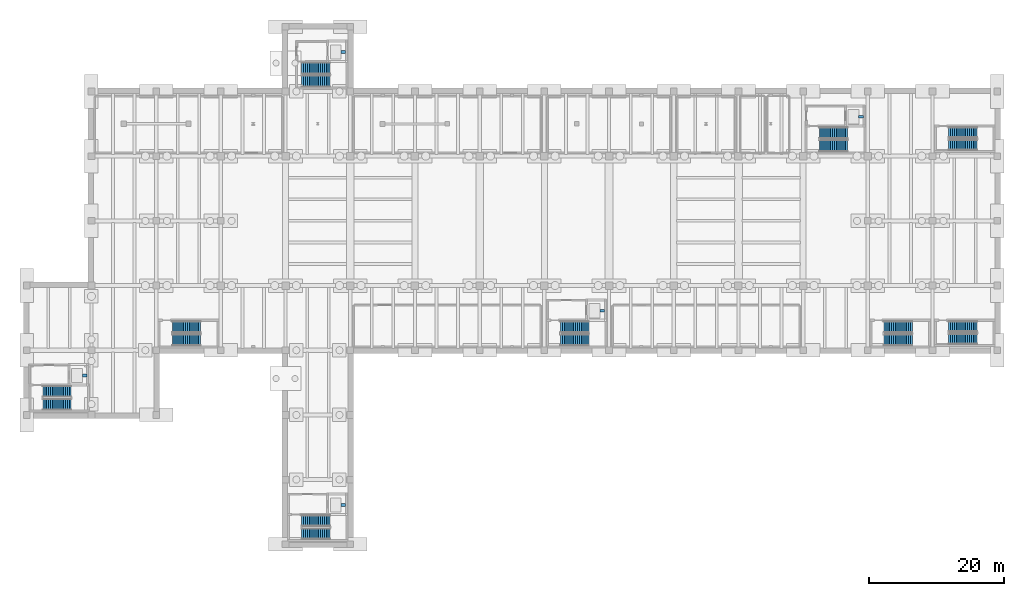
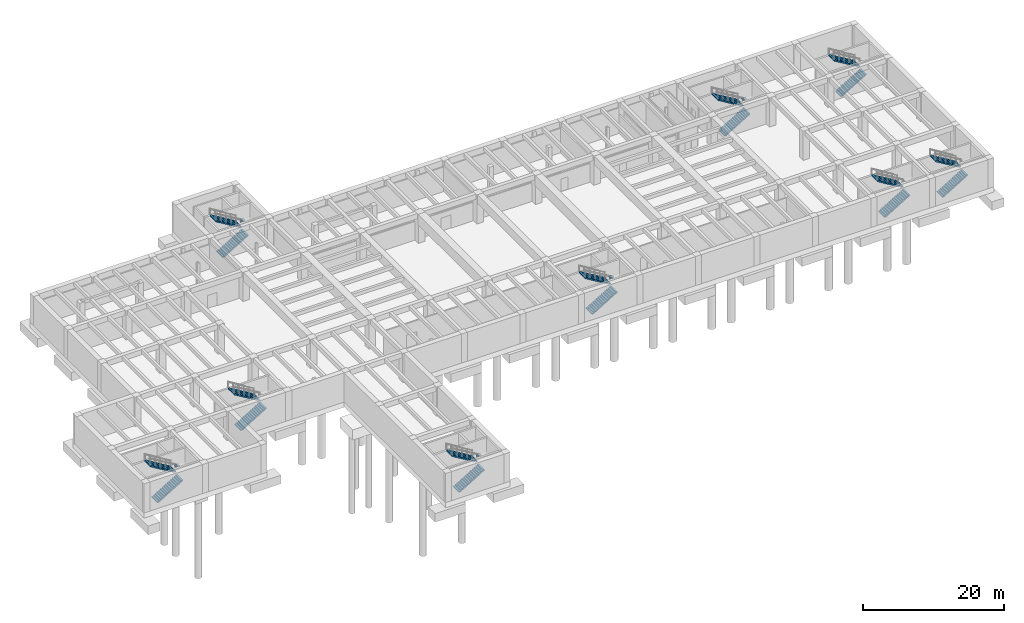
# One storey, part 15 of 24: 18 stair flights, 5 discrete accessories, 9 elements without a shape of their own.
"""IFC4 building model written with IfcOpenShell, lengths in metres."""

from ifc_helpers import new_model, si_unit, direction, frame, origin, origin_2d, place, context, subcontext, project, spatial, polyline, rectangle, outline, extrude, material, type_object, element, aggregate, save


model = new_model("IFC4")

# Units and contexts
model_context = context("Model", 3, precision=1e-05, world=origin(), true_north=direction((0.0, 1.0)))
body_context = subcontext(model_context, "Body", "Model", "MODEL_VIEW")
ifc_project = project(units=[si_unit("LENGTHUNIT", "METRE"), si_unit("AREAUNIT", "SQUARE_METRE"), si_unit("VOLUMEUNIT", "CUBIC_METRE"), si_unit("PLANEANGLEUNIT", "RADIAN"), si_unit("MASSUNIT", "GRAM", prefix="KILO")], contexts=[model_context])

# Site, building, storey
site_placement = place(None, origin())
site = spatial("IfcSite", under=ifc_project, at=site_placement, CompositionType="ELEMENT")
building_placement = place(site_placement, origin())
building = spatial("IfcBuilding", under=site, at=building_placement, Name="Coralgate Yard Interchange", CompositionType="ELEMENT")
storey_placement = place(building_placement, frame((0.0, 0.0, -10.800048828125)))
storey = spatial("IfcBuildingStorey", under=building, at=storey_placement, Name="B2", CompositionType="ELEMENT", Elevation=-10.800048828125)

# Stair, stair flights
ifc_material_1 = material(Name="Concrete C40/50", Category="concrete")
stair_type_1 = type_object("IfcStairType", Name="STR-DL-158-54", PredefinedType="HALF_TURN_STAIR", material=ifc_material_1)
stair_1_placement = place(storey_placement, origin())
stair_1 = element("IfcStair", 1, at=stair_1_placement, inside=storey, type_object=stair_type_1, Name="B2 Escape stair ST-10", PredefinedType="HALF_TURN_STAIR")
stair_flight_type_1 = type_object("IfcStairFlightType", Name="STF-DL-158-54", PredefinedType="STRAIGHT", material=ifc_material_1)
stair_flight_1_placement = place(storey_placement, frame((146.39990234375, 40.050048828125, 0.0), z_axis=(0.0, 0.0, 1.0), x_axis=(1.0, 0.0, 0.0)))
stair_flight_1 = element("IfcStairFlight", 2, at=stair_flight_1_placement, type_object=stair_flight_type_1, Name="ST-10 flight 1", NumberOfRisers=16, NumberOfTreads=15, PredefinedType="STRAIGHT", RiserHeight=0.16875, TreadLength=0.28, context=body_context, shape_type="SweptSolid", body=[
    extrude(outline(polyline([(0.0, 0.0), (0.0, 0.168701171875), (0.280029296875, 0.168701171875), (0.280029296875, 0.33740234375), (0.56005859375, 0.33740234375), (0.56005859375, 0.50634765625), (0.840087890625, 0.50634765625), (0.840087890625, 0.675048828125), (1.1201171875, 0.675048828125), (1.1201171875, 0.84375), (1.39990234375, 0.84375), (1.39990234375, 1.012451171875), (1.679931640625, 1.012451171875), (1.679931640625, 1.18115234375), (1.9599609375, 1.18115234375), (1.9599609375, 1.35009765625), (2.239990234375, 1.35009765625), (2.239990234375, 1.518798828125), (2.52001953125, 1.518798828125), (2.52001953125, 1.6875), (2.800048828125, 1.6875), (2.800048828125, 1.856201171875), (3.080078125, 1.856201171875), (3.080078125, 2.02490234375), (3.360107421875, 2.02490234375), (3.360107421875, 2.19384765625), (3.639892578125, 2.19384765625), (3.639892578125, 2.362548828125), (3.919921875, 2.362548828125), (3.919921875, 2.53125), (4.199951171875, 2.53125), (4.199951171875, 2.699951171875), (4.199951171875, 2.344482421875), (0.309814453125, 0.0), (0.0, 0.0)])), frame((0.0, 0.7900390625, 0.0), z_axis=(0.0, -1.0, 0.0), x_axis=(1.0, 0.0, 0.0)), (0.0, 0.0, 1.0), 1.580078125),
])
stair_flight_2_placement = place(storey_placement, frame((150.60009765625, 41.919921875, 2.699951171875), z_axis=(0.0, 0.0, 1.0), x_axis=(-1.0, 0.0, 0.0)))
stair_flight_2 = element("IfcStairFlight", 3, at=stair_flight_2_placement, type_object=stair_flight_type_1, Name="ST-10 flight 2", NumberOfRisers=16, NumberOfTreads=15, PredefinedType="STRAIGHT", RiserHeight=0.16875, TreadLength=0.28, context=body_context, shape_type="SweptSolid", body=[
    extrude(outline(polyline([(0.0, 0.0), (0.0, 0.168701171875), (0.280029296875, 0.168701171875), (0.280029296875, 0.33740234375), (0.56005859375, 0.33740234375), (0.56005859375, 0.50634765625), (0.840087890625, 0.50634765625), (0.840087890625, 0.675048828125), (1.1201171875, 0.675048828125), (1.1201171875, 0.84375), (1.39990234375, 0.84375), (1.39990234375, 1.012451171875), (1.679931640625, 1.012451171875), (1.679931640625, 1.18115234375), (1.9599609375, 1.18115234375), (1.9599609375, 1.35009765625), (2.239990234375, 1.35009765625), (2.239990234375, 1.518798828125), (2.52001953125, 1.518798828125), (2.52001953125, 1.6875), (2.800048828125, 1.6875), (2.800048828125, 1.856201171875), (3.080078125, 1.856201171875), (3.080078125, 2.02490234375), (3.360107421875, 2.02490234375), (3.360107421875, 2.19384765625), (3.639892578125, 2.19384765625), (3.639892578125, 2.362548828125), (3.919921875, 2.362548828125), (3.919921875, 2.53125), (4.199951171875, 2.53125), (4.199951171875, 2.699951171875), (4.199951171875, 2.344482421875), (0.309814453125, 0.0), (0.0, 0.0)])), frame((0.0, 0.7900390625, 0.0), z_axis=(0.0, -1.0, 0.0), x_axis=(1.0, 0.0, 0.0)), (0.0, 0.0, 1.0), 1.580078125),
])
aggregate(stair_1, [stair_flight_1, stair_flight_2])

stair_2_placement = place(storey_placement, origin())
stair_2 = element("IfcStair", 4, at=stair_2_placement, inside=storey, type_object=stair_type_1, Name="B2 Escape stair ST-11", PredefinedType="HALF_TURN_STAIR")
stair_flight_3_placement = place(storey_placement, frame((146.39990234375, 68.85009765625, 0.0), z_axis=(0.0, 0.0, 1.0), x_axis=(1.0, 0.0, 0.0)))
stair_flight_3 = element("IfcStairFlight", 5, at=stair_flight_3_placement, type_object=stair_flight_type_1, Name="ST-11 flight 1", NumberOfRisers=16, NumberOfTreads=15, PredefinedType="STRAIGHT", RiserHeight=0.16875, TreadLength=0.28, context=body_context, shape_type="SweptSolid", body=[
    extrude(outline(polyline([(0.0, 0.0), (0.0, 0.168701171875), (0.280029296875, 0.168701171875), (0.280029296875, 0.33740234375), (0.56005859375, 0.33740234375), (0.56005859375, 0.50634765625), (0.840087890625, 0.50634765625), (0.840087890625, 0.675048828125), (1.1201171875, 0.675048828125), (1.1201171875, 0.84375), (1.39990234375, 0.84375), (1.39990234375, 1.012451171875), (1.679931640625, 1.012451171875), (1.679931640625, 1.18115234375), (1.9599609375, 1.18115234375), (1.9599609375, 1.35009765625), (2.239990234375, 1.35009765625), (2.239990234375, 1.518798828125), (2.52001953125, 1.518798828125), (2.52001953125, 1.6875), (2.800048828125, 1.6875), (2.800048828125, 1.856201171875), (3.080078125, 1.856201171875), (3.080078125, 2.02490234375), (3.360107421875, 2.02490234375), (3.360107421875, 2.19384765625), (3.639892578125, 2.19384765625), (3.639892578125, 2.362548828125), (3.919921875, 2.362548828125), (3.919921875, 2.53125), (4.199951171875, 2.53125), (4.199951171875, 2.699951171875), (4.199951171875, 2.344482421875), (0.309814453125, 0.0), (0.0, 0.0)])), frame((0.0, 0.7900390625, 0.0), z_axis=(0.0, -1.0, 0.0), x_axis=(1.0, 0.0, 0.0)), (0.0, 0.0, 1.0), 1.580078125),
])
stair_flight_4_placement = place(storey_placement, frame((150.60009765625, 70.719970703125, 2.699951171875), z_axis=(0.0, 0.0, 1.0), x_axis=(-1.0, 0.0, 0.0)))
stair_flight_4 = element("IfcStairFlight", 6, at=stair_flight_4_placement, type_object=stair_flight_type_1, Name="ST-11 flight 2", NumberOfRisers=16, NumberOfTreads=15, PredefinedType="STRAIGHT", RiserHeight=0.16875, TreadLength=0.28, context=body_context, shape_type="SweptSolid", body=[
    extrude(outline(polyline([(0.0, 0.0), (0.0, 0.168701171875), (0.280029296875, 0.168701171875), (0.280029296875, 0.33740234375), (0.56005859375, 0.33740234375), (0.56005859375, 0.50634765625), (0.840087890625, 0.50634765625), (0.840087890625, 0.675048828125), (1.1201171875, 0.675048828125), (1.1201171875, 0.84375), (1.39990234375, 0.84375), (1.39990234375, 1.012451171875), (1.679931640625, 1.012451171875), (1.679931640625, 1.18115234375), (1.9599609375, 1.18115234375), (1.9599609375, 1.35009765625), (2.239990234375, 1.35009765625), (2.239990234375, 1.518798828125), (2.52001953125, 1.518798828125), (2.52001953125, 1.6875), (2.800048828125, 1.6875), (2.800048828125, 1.856201171875), (3.080078125, 1.856201171875), (3.080078125, 2.02490234375), (3.360107421875, 2.02490234375), (3.360107421875, 2.19384765625), (3.639892578125, 2.19384765625), (3.639892578125, 2.362548828125), (3.919921875, 2.362548828125), (3.919921875, 2.53125), (4.199951171875, 2.53125), (4.199951171875, 2.699951171875), (4.199951171875, 2.344482421875), (0.309814453125, 0.0), (0.0, 0.0)])), frame((0.0, 0.7900390625, 0.0), z_axis=(0.0, -1.0, 0.0), x_axis=(1.0, 0.0, 0.0)), (0.0, 0.0, 1.0), 1.580078125),
])
aggregate(stair_2, [stair_flight_3, stair_flight_4])

stair_type_2 = type_object("IfcStairType", Name="STR-DL-165-54", PredefinedType="HALF_TURN_STAIR", material=ifc_material_1)
stair_3_placement = place(storey_placement, origin())
stair_3 = element("IfcStair", 7, at=stair_3_placement, inside=storey, type_object=stair_type_2, Name="B2 Escape stair ST-01", PredefinedType="HALF_TURN_STAIR")
stair_flight_type_2 = type_object("IfcStairFlightType", Name="STF-DL-165-54", PredefinedType="STRAIGHT", material=ifc_material_1)
stair_flight_5_placement = place(storey_placement, frame((12.0, 30.344970703125, 0.0), z_axis=(0.0, 0.0, 1.0), x_axis=(1.0, 0.0, 0.0)))
stair_flight_5 = element("IfcStairFlight", 8, at=stair_flight_5_placement, type_object=stair_flight_type_2, Name="ST-01 flight 1", NumberOfRisers=16, NumberOfTreads=15, PredefinedType="STRAIGHT", RiserHeight=0.16875, TreadLength=0.28, context=body_context, shape_type="SweptSolid", body=[
    extrude(outline(polyline([(0.0, 0.0), (0.0, 0.168701171875), (0.280029296875, 0.168701171875), (0.280029296875, 0.33740234375), (0.56005859375, 0.33740234375), (0.56005859375, 0.50634765625), (0.840087890625, 0.50634765625), (0.840087890625, 0.675048828125), (1.1201171875, 0.675048828125), (1.1201171875, 0.84375), (1.39990234375, 0.84375), (1.39990234375, 1.012451171875), (1.679931640625, 1.012451171875), (1.679931640625, 1.18115234375), (1.9599609375, 1.18115234375), (1.9599609375, 1.35009765625), (2.239990234375, 1.35009765625), (2.239990234375, 1.518798828125), (2.52001953125, 1.518798828125), (2.52001953125, 1.6875), (2.800048828125, 1.6875), (2.800048828125, 1.856201171875), (3.080078125, 1.856201171875), (3.080078125, 2.02490234375), (3.360107421875, 2.02490234375), (3.360107421875, 2.19384765625), (3.639892578125, 2.19384765625), (3.639892578125, 2.362548828125), (3.919921875, 2.362548828125), (3.919921875, 2.53125), (4.199951171875, 2.53125), (4.199951171875, 2.699951171875), (4.199951171875, 2.344482421875), (0.309814453125, 0.0), (0.0, 0.0)])), frame((0.0, 0.824951171875, 0.0), z_axis=(0.0, -1.0, 0.0), x_axis=(1.0, 0.0, 0.0)), (0.0, 0.0, 1.0), 1.64990234375),
])
stair_flight_6_placement = place(storey_placement, frame((16.199951171875, 32.284912109375, 2.699951171875), z_axis=(0.0, 0.0, 1.0), x_axis=(-1.0, 0.0, 0.0)))
stair_flight_6 = element("IfcStairFlight", 9, at=stair_flight_6_placement, type_object=stair_flight_type_2, Name="ST-01 flight 2", NumberOfRisers=16, NumberOfTreads=15, PredefinedType="STRAIGHT", RiserHeight=0.16875, TreadLength=0.28, context=body_context, shape_type="SweptSolid", body=[
    extrude(outline(polyline([(0.0, 0.0), (0.0, 0.168701171875), (0.280029296875, 0.168701171875), (0.280029296875, 0.33740234375), (0.56005859375, 0.33740234375), (0.56005859375, 0.50634765625), (0.840087890625, 0.50634765625), (0.840087890625, 0.675048828125), (1.1201171875, 0.675048828125), (1.1201171875, 0.84375), (1.39990234375, 0.84375), (1.39990234375, 1.012451171875), (1.679931640625, 1.012451171875), (1.679931640625, 1.18115234375), (1.9599609375, 1.18115234375), (1.9599609375, 1.35009765625), (2.239990234375, 1.35009765625), (2.239990234375, 1.518798828125), (2.52001953125, 1.518798828125), (2.52001953125, 1.6875), (2.800048828125, 1.6875), (2.800048828125, 1.856201171875), (3.080078125, 1.856201171875), (3.080078125, 2.02490234375), (3.360107421875, 2.02490234375), (3.360107421875, 2.19384765625), (3.639892578125, 2.19384765625), (3.639892578125, 2.362548828125), (3.919921875, 2.362548828125), (3.919921875, 2.53125), (4.199951171875, 2.53125), (4.199951171875, 2.699951171875), (4.199951171875, 2.344482421875), (0.309814453125, 0.0), (0.0, 0.0)])), frame((0.0, 0.824951171875, 0.0), z_axis=(0.0, -1.0, 0.0), x_axis=(1.0, 0.0, 0.0)), (0.0, 0.0, 1.0), 1.64990234375),
])
aggregate(stair_3, [stair_flight_5, stair_flight_6])

stair_4_placement = place(storey_placement, origin())
stair_4 = element("IfcStair", 10, at=stair_4_placement, inside=storey, type_object=stair_type_2, Name="B2 Escape stair ST-02", PredefinedType="HALF_TURN_STAIR")
stair_flight_7_placement = place(storey_placement, frame((50.39990234375, 11.14501953125, 0.0), z_axis=(0.0, 0.0, 1.0), x_axis=(1.0, 0.0, 0.0)))
stair_flight_7 = element("IfcStairFlight", 11, at=stair_flight_7_placement, type_object=stair_flight_type_2, Name="ST-02 flight 1", NumberOfRisers=16, NumberOfTreads=15, PredefinedType="STRAIGHT", RiserHeight=0.16875, TreadLength=0.28, context=body_context, shape_type="SweptSolid", body=[
    extrude(outline(polyline([(0.0, 0.0), (0.0, 0.168701171875), (0.280029296875, 0.168701171875), (0.280029296875, 0.33740234375), (0.56005859375, 0.33740234375), (0.56005859375, 0.50634765625), (0.840087890625, 0.50634765625), (0.840087890625, 0.675048828125), (1.1201171875, 0.675048828125), (1.1201171875, 0.84375), (1.39990234375, 0.84375), (1.39990234375, 1.012451171875), (1.679931640625, 1.012451171875), (1.679931640625, 1.18115234375), (1.9599609375, 1.18115234375), (1.9599609375, 1.35009765625), (2.239990234375, 1.35009765625), (2.239990234375, 1.518798828125), (2.52001953125, 1.518798828125), (2.52001953125, 1.6875), (2.800048828125, 1.6875), (2.800048828125, 1.856201171875), (3.080078125, 1.856201171875), (3.080078125, 2.02490234375), (3.360107421875, 2.02490234375), (3.360107421875, 2.19384765625), (3.639892578125, 2.19384765625), (3.639892578125, 2.362548828125), (3.919921875, 2.362548828125), (3.919921875, 2.53125), (4.199951171875, 2.53125), (4.199951171875, 2.699951171875), (4.199951171875, 2.344482421875), (0.309814453125, 0.0), (0.0, 0.0)])), frame((0.0, 0.824951171875, 0.0), z_axis=(0.0, -1.0, 0.0), x_axis=(1.0, 0.0, 0.0)), (0.0, 0.0, 1.0), 1.64990234375),
])
stair_flight_8_placement = place(storey_placement, frame((54.60009765625, 13.0849609375, 2.699951171875), z_axis=(0.0, 0.0, 1.0), x_axis=(-1.0, 0.0, 0.0)))
stair_flight_8 = element("IfcStairFlight", 12, at=stair_flight_8_placement, type_object=stair_flight_type_2, Name="ST-02 flight 2", NumberOfRisers=16, NumberOfTreads=15, PredefinedType="STRAIGHT", RiserHeight=0.16875, TreadLength=0.28, context=body_context, shape_type="SweptSolid", body=[
    extrude(outline(polyline([(0.0, 0.0), (0.0, 0.168701171875), (0.280029296875, 0.168701171875), (0.280029296875, 0.33740234375), (0.56005859375, 0.33740234375), (0.56005859375, 0.50634765625), (0.840087890625, 0.50634765625), (0.840087890625, 0.675048828125), (1.1201171875, 0.675048828125), (1.1201171875, 0.84375), (1.39990234375, 0.84375), (1.39990234375, 1.012451171875), (1.679931640625, 1.012451171875), (1.679931640625, 1.18115234375), (1.9599609375, 1.18115234375), (1.9599609375, 1.35009765625), (2.239990234375, 1.35009765625), (2.239990234375, 1.518798828125), (2.52001953125, 1.518798828125), (2.52001953125, 1.6875), (2.800048828125, 1.6875), (2.800048828125, 1.856201171875), (3.080078125, 1.856201171875), (3.080078125, 2.02490234375), (3.360107421875, 2.02490234375), (3.360107421875, 2.19384765625), (3.639892578125, 2.19384765625), (3.639892578125, 2.362548828125), (3.919921875, 2.362548828125), (3.919921875, 2.53125), (4.199951171875, 2.53125), (4.199951171875, 2.699951171875), (4.199951171875, 2.344482421875), (0.309814453125, 0.0), (0.0, 0.0)])), frame((0.0, 0.824951171875, 0.0), z_axis=(0.0, -1.0, 0.0), x_axis=(1.0, 0.0, 0.0)), (0.0, 0.0, 1.0), 1.64990234375),
])
aggregate(stair_4, [stair_flight_7, stair_flight_8])

stair_type_3 = type_object("IfcStairType", Name="STR-DL-175-54", PredefinedType="HALF_TURN_STAIR", material=ifc_material_1)
stair_5_placement = place(storey_placement, origin())
stair_5 = element("IfcStair", 13, at=stair_5_placement, inside=storey, type_object=stair_type_3, Name="B2 Escape stair ST-12", PredefinedType="HALF_TURN_STAIR")
stair_flight_type_3 = type_object("IfcStairFlightType", Name="STF-DL-175-54", PredefinedType="STRAIGHT", material=ifc_material_1)
stair_flight_9_placement = place(storey_placement, frame((31.199951171875, 39.925048828125, 0.0), z_axis=(0.0, 0.0, 1.0), x_axis=(1.0, 0.0, 0.0)))
stair_flight_9 = element("IfcStairFlight", 14, at=stair_flight_9_placement, type_object=stair_flight_type_3, Name="ST-12 flight 1", NumberOfRisers=16, NumberOfTreads=15, PredefinedType="STRAIGHT", RiserHeight=0.16875, TreadLength=0.28, context=body_context, shape_type="SweptSolid", body=[
    extrude(outline(polyline([(0.0, 0.0), (0.0, 0.168701171875), (0.280029296875, 0.168701171875), (0.280029296875, 0.33740234375), (0.56005859375, 0.33740234375), (0.56005859375, 0.50634765625), (0.840087890625, 0.50634765625), (0.840087890625, 0.675048828125), (1.1201171875, 0.675048828125), (1.1201171875, 0.84375), (1.39990234375, 0.84375), (1.39990234375, 1.012451171875), (1.679931640625, 1.012451171875), (1.679931640625, 1.18115234375), (1.9599609375, 1.18115234375), (1.9599609375, 1.35009765625), (2.239990234375, 1.35009765625), (2.239990234375, 1.518798828125), (2.52001953125, 1.518798828125), (2.52001953125, 1.6875), (2.800048828125, 1.6875), (2.800048828125, 1.856201171875), (3.080078125, 1.856201171875), (3.080078125, 2.02490234375), (3.360107421875, 2.02490234375), (3.360107421875, 2.19384765625), (3.639892578125, 2.19384765625), (3.639892578125, 2.362548828125), (3.919921875, 2.362548828125), (3.919921875, 2.53125), (4.199951171875, 2.53125), (4.199951171875, 2.699951171875), (4.199951171875, 2.344482421875), (0.309814453125, 0.0), (0.0, 0.0)])), frame((0.0, 0.875, 0.0), z_axis=(0.0, -1.0, 0.0), x_axis=(1.0, 0.0, 0.0)), (0.0, 0.0, 1.0), 1.75),
])
stair_flight_10_placement = place(storey_placement, frame((35.39990234375, 41.8349609375, 2.699951171875), z_axis=(0.0, 0.0, 1.0), x_axis=(-1.0, 0.0, 0.0)))
stair_flight_10 = element("IfcStairFlight", 15, at=stair_flight_10_placement, type_object=stair_flight_type_3, Name="ST-12 flight 2", NumberOfRisers=16, NumberOfTreads=15, PredefinedType="STRAIGHT", RiserHeight=0.16875, TreadLength=0.28, context=body_context, shape_type="SweptSolid", body=[
    extrude(outline(polyline([(0.0, 0.0), (0.0, 0.168701171875), (0.280029296875, 0.168701171875), (0.280029296875, 0.33740234375), (0.56005859375, 0.33740234375), (0.56005859375, 0.50634765625), (0.840087890625, 0.50634765625), (0.840087890625, 0.675048828125), (1.1201171875, 0.675048828125), (1.1201171875, 0.84375), (1.39990234375, 0.84375), (1.39990234375, 1.012451171875), (1.679931640625, 1.012451171875), (1.679931640625, 1.18115234375), (1.9599609375, 1.18115234375), (1.9599609375, 1.35009765625), (2.239990234375, 1.35009765625), (2.239990234375, 1.518798828125), (2.52001953125, 1.518798828125), (2.52001953125, 1.6875), (2.800048828125, 1.6875), (2.800048828125, 1.856201171875), (3.080078125, 1.856201171875), (3.080078125, 2.02490234375), (3.360107421875, 2.02490234375), (3.360107421875, 2.19384765625), (3.639892578125, 2.19384765625), (3.639892578125, 2.362548828125), (3.919921875, 2.362548828125), (3.919921875, 2.53125), (4.199951171875, 2.53125), (4.199951171875, 2.699951171875), (4.199951171875, 2.344482421875), (0.309814453125, 0.0), (0.0, 0.0)])), frame((0.0, 0.875, 0.0), z_axis=(0.0, -1.0, 0.0), x_axis=(1.0, 0.0, 0.0)), (0.0, 0.0, 1.0), 1.75),
])
aggregate(stair_5, [stair_flight_9, stair_flight_10])

stair_6_placement = place(storey_placement, origin())
stair_6 = element("IfcStair", 16, at=stair_6_placement, inside=storey, type_object=stair_type_3, Name="B2 Escape stair ST-13", PredefinedType="HALF_TURN_STAIR")
stair_flight_11_placement = place(storey_placement, frame((136.800048828125, 39.925048828125, 0.0), z_axis=(0.0, 0.0, 1.0), x_axis=(1.0, 0.0, 0.0)))
stair_flight_11 = element("IfcStairFlight", 17, at=stair_flight_11_placement, type_object=stair_flight_type_3, Name="ST-13 flight 1", NumberOfRisers=16, NumberOfTreads=15, PredefinedType="STRAIGHT", RiserHeight=0.16875, TreadLength=0.28, context=body_context, shape_type="SweptSolid", body=[
    extrude(outline(polyline([(0.0, 0.0), (0.0, 0.168701171875), (0.280029296875, 0.168701171875), (0.280029296875, 0.33740234375), (0.56005859375, 0.33740234375), (0.56005859375, 0.50634765625), (0.840087890625, 0.50634765625), (0.840087890625, 0.675048828125), (1.1201171875, 0.675048828125), (1.1201171875, 0.84375), (1.39990234375, 0.84375), (1.39990234375, 1.012451171875), (1.679931640625, 1.012451171875), (1.679931640625, 1.18115234375), (1.9599609375, 1.18115234375), (1.9599609375, 1.35009765625), (2.239990234375, 1.35009765625), (2.239990234375, 1.518798828125), (2.52001953125, 1.518798828125), (2.52001953125, 1.6875), (2.800048828125, 1.6875), (2.800048828125, 1.856201171875), (3.080078125, 1.856201171875), (3.080078125, 2.02490234375), (3.360107421875, 2.02490234375), (3.360107421875, 2.19384765625), (3.639892578125, 2.19384765625), (3.639892578125, 2.362548828125), (3.919921875, 2.362548828125), (3.919921875, 2.53125), (4.199951171875, 2.53125), (4.199951171875, 2.699951171875), (4.199951171875, 2.344482421875), (0.309814453125, 0.0), (0.0, 0.0)])), frame((0.0, 0.875, 0.0), z_axis=(0.0, -1.0, 0.0), x_axis=(1.0, 0.0, 0.0)), (0.0, 0.0, 1.0), 1.75),
])
stair_flight_12_placement = place(storey_placement, frame((141.0, 41.8349609375, 2.699951171875), z_axis=(0.0, 0.0, 1.0), x_axis=(-1.0, 0.0, 0.0)))
stair_flight_12 = element("IfcStairFlight", 18, at=stair_flight_12_placement, type_object=stair_flight_type_3, Name="ST-13 flight 2", NumberOfRisers=16, NumberOfTreads=15, PredefinedType="STRAIGHT", RiserHeight=0.16875, TreadLength=0.28, context=body_context, shape_type="SweptSolid", body=[
    extrude(outline(polyline([(0.0, 0.0), (0.0, 0.168701171875), (0.280029296875, 0.168701171875), (0.280029296875, 0.33740234375), (0.56005859375, 0.33740234375), (0.56005859375, 0.50634765625), (0.840087890625, 0.50634765625), (0.840087890625, 0.675048828125), (1.1201171875, 0.675048828125), (1.1201171875, 0.84375), (1.39990234375, 0.84375), (1.39990234375, 1.012451171875), (1.679931640625, 1.012451171875), (1.679931640625, 1.18115234375), (1.9599609375, 1.18115234375), (1.9599609375, 1.35009765625), (2.239990234375, 1.35009765625), (2.239990234375, 1.518798828125), (2.52001953125, 1.518798828125), (2.52001953125, 1.6875), (2.800048828125, 1.6875), (2.800048828125, 1.856201171875), (3.080078125, 1.856201171875), (3.080078125, 2.02490234375), (3.360107421875, 2.02490234375), (3.360107421875, 2.19384765625), (3.639892578125, 2.19384765625), (3.639892578125, 2.362548828125), (3.919921875, 2.362548828125), (3.919921875, 2.53125), (4.199951171875, 2.53125), (4.199951171875, 2.699951171875), (4.199951171875, 2.344482421875), (0.309814453125, 0.0), (0.0, 0.0)])), frame((0.0, 0.875, 0.0), z_axis=(0.0, -1.0, 0.0), x_axis=(1.0, 0.0, 0.0)), (0.0, 0.0, 1.0), 1.75),
])
aggregate(stair_6, [stair_flight_11, stair_flight_12])

stair_7_placement = place(storey_placement, origin())
stair_7 = element("IfcStair", 19, at=stair_7_placement, inside=storey, type_object=stair_type_3, Name="B2 Escape stair ST-05", PredefinedType="HALF_TURN_STAIR")
stair_flight_13_placement = place(storey_placement, frame((50.39990234375, 78.324951171875, 0.0), z_axis=(0.0, 0.0, 1.0), x_axis=(1.0, 0.0, 0.0)))
stair_flight_13 = element("IfcStairFlight", 20, at=stair_flight_13_placement, type_object=stair_flight_type_3, Name="ST-05 flight 1", NumberOfRisers=16, NumberOfTreads=15, PredefinedType="STRAIGHT", RiserHeight=0.16875, TreadLength=0.28, context=body_context, shape_type="SweptSolid", body=[
    extrude(outline(polyline([(0.0, 0.0), (0.0, 0.168701171875), (0.280029296875, 0.168701171875), (0.280029296875, 0.33740234375), (0.56005859375, 0.33740234375), (0.56005859375, 0.50634765625), (0.840087890625, 0.50634765625), (0.840087890625, 0.675048828125), (1.1201171875, 0.675048828125), (1.1201171875, 0.84375), (1.39990234375, 0.84375), (1.39990234375, 1.012451171875), (1.679931640625, 1.012451171875), (1.679931640625, 1.18115234375), (1.9599609375, 1.18115234375), (1.9599609375, 1.35009765625), (2.239990234375, 1.35009765625), (2.239990234375, 1.518798828125), (2.52001953125, 1.518798828125), (2.52001953125, 1.6875), (2.800048828125, 1.6875), (2.800048828125, 1.856201171875), (3.080078125, 1.856201171875), (3.080078125, 2.02490234375), (3.360107421875, 2.02490234375), (3.360107421875, 2.19384765625), (3.639892578125, 2.19384765625), (3.639892578125, 2.362548828125), (3.919921875, 2.362548828125), (3.919921875, 2.53125), (4.199951171875, 2.53125), (4.199951171875, 2.699951171875), (4.199951171875, 2.344482421875), (0.309814453125, 0.0), (0.0, 0.0)])), frame((0.0, 0.875, 0.0), z_axis=(0.0, -1.0, 0.0), x_axis=(1.0, 0.0, 0.0)), (0.0, 0.0, 1.0), 1.75),
])
stair_flight_14_placement = place(storey_placement, frame((54.60009765625, 80.235107421875, 2.699951171875), z_axis=(0.0, 0.0, 1.0), x_axis=(-1.0, 0.0, 0.0)))
stair_flight_14 = element("IfcStairFlight", 21, at=stair_flight_14_placement, type_object=stair_flight_type_3, Name="ST-05 flight 2", NumberOfRisers=16, NumberOfTreads=15, PredefinedType="STRAIGHT", RiserHeight=0.16875, TreadLength=0.28, context=body_context, shape_type="SweptSolid", body=[
    extrude(outline(polyline([(0.0, 0.0), (0.0, 0.168701171875), (0.280029296875, 0.168701171875), (0.280029296875, 0.33740234375), (0.56005859375, 0.33740234375), (0.56005859375, 0.50634765625), (0.840087890625, 0.50634765625), (0.840087890625, 0.675048828125), (1.1201171875, 0.675048828125), (1.1201171875, 0.84375), (1.39990234375, 0.84375), (1.39990234375, 1.012451171875), (1.679931640625, 1.012451171875), (1.679931640625, 1.18115234375), (1.9599609375, 1.18115234375), (1.9599609375, 1.35009765625), (2.239990234375, 1.35009765625), (2.239990234375, 1.518798828125), (2.52001953125, 1.518798828125), (2.52001953125, 1.6875), (2.800048828125, 1.6875), (2.800048828125, 1.856201171875), (3.080078125, 1.856201171875), (3.080078125, 2.02490234375), (3.360107421875, 2.02490234375), (3.360107421875, 2.19384765625), (3.639892578125, 2.19384765625), (3.639892578125, 2.362548828125), (3.919921875, 2.362548828125), (3.919921875, 2.53125), (4.199951171875, 2.53125), (4.199951171875, 2.699951171875), (4.199951171875, 2.344482421875), (0.309814453125, 0.0), (0.0, 0.0)])), frame((0.0, 0.875, 0.0), z_axis=(0.0, -1.0, 0.0), x_axis=(1.0, 0.0, 0.0)), (0.0, 0.0, 1.0), 1.75),
])
aggregate(stair_7, [stair_flight_13, stair_flight_14])

stair_8_placement = place(storey_placement, origin())
stair_8 = element("IfcStair", 22, at=stair_8_placement, inside=storey, type_object=stair_type_3, Name="B2 Escape stair ST-06", PredefinedType="HALF_TURN_STAIR")
stair_flight_15_placement = place(storey_placement, frame((88.800048828125, 39.925048828125, 0.0), z_axis=(0.0, 0.0, 1.0), x_axis=(1.0, 0.0, 0.0)))
stair_flight_15 = element("IfcStairFlight", 23, at=stair_flight_15_placement, type_object=stair_flight_type_3, Name="ST-06 flight 1", NumberOfRisers=16, NumberOfTreads=15, PredefinedType="STRAIGHT", RiserHeight=0.16875, TreadLength=0.28, context=body_context, shape_type="SweptSolid", body=[
    extrude(outline(polyline([(0.0, 0.0), (0.0, 0.168701171875), (0.280029296875, 0.168701171875), (0.280029296875, 0.33740234375), (0.56005859375, 0.33740234375), (0.56005859375, 0.50634765625), (0.840087890625, 0.50634765625), (0.840087890625, 0.675048828125), (1.1201171875, 0.675048828125), (1.1201171875, 0.84375), (1.39990234375, 0.84375), (1.39990234375, 1.012451171875), (1.679931640625, 1.012451171875), (1.679931640625, 1.18115234375), (1.9599609375, 1.18115234375), (1.9599609375, 1.35009765625), (2.239990234375, 1.35009765625), (2.239990234375, 1.518798828125), (2.52001953125, 1.518798828125), (2.52001953125, 1.6875), (2.800048828125, 1.6875), (2.800048828125, 1.856201171875), (3.080078125, 1.856201171875), (3.080078125, 2.02490234375), (3.360107421875, 2.02490234375), (3.360107421875, 2.19384765625), (3.639892578125, 2.19384765625), (3.639892578125, 2.362548828125), (3.919921875, 2.362548828125), (3.919921875, 2.53125), (4.199951171875, 2.53125), (4.199951171875, 2.699951171875), (4.199951171875, 2.344482421875), (0.309814453125, 0.0), (0.0, 0.0)])), frame((0.0, 0.875, 0.0), z_axis=(0.0, -1.0, 0.0), x_axis=(1.0, 0.0, 0.0)), (0.0, 0.0, 1.0), 1.75),
])
stair_flight_16_placement = place(storey_placement, frame((93.0, 41.8349609375, 2.699951171875), z_axis=(0.0, 0.0, 1.0), x_axis=(-1.0, 0.0, 0.0)))
stair_flight_16 = element("IfcStairFlight", 24, at=stair_flight_16_placement, type_object=stair_flight_type_3, Name="ST-06 flight 2", NumberOfRisers=16, NumberOfTreads=15, PredefinedType="STRAIGHT", RiserHeight=0.16875, TreadLength=0.28, context=body_context, shape_type="SweptSolid", body=[
    extrude(outline(polyline([(0.0, 0.0), (0.0, 0.168701171875), (0.280029296875, 0.168701171875), (0.280029296875, 0.33740234375), (0.56005859375, 0.33740234375), (0.56005859375, 0.50634765625), (0.840087890625, 0.50634765625), (0.840087890625, 0.675048828125), (1.1201171875, 0.675048828125), (1.1201171875, 0.84375), (1.39990234375, 0.84375), (1.39990234375, 1.012451171875), (1.679931640625, 1.012451171875), (1.679931640625, 1.18115234375), (1.9599609375, 1.18115234375), (1.9599609375, 1.35009765625), (2.239990234375, 1.35009765625), (2.239990234375, 1.518798828125), (2.52001953125, 1.518798828125), (2.52001953125, 1.6875), (2.800048828125, 1.6875), (2.800048828125, 1.856201171875), (3.080078125, 1.856201171875), (3.080078125, 2.02490234375), (3.360107421875, 2.02490234375), (3.360107421875, 2.19384765625), (3.639892578125, 2.19384765625), (3.639892578125, 2.362548828125), (3.919921875, 2.362548828125), (3.919921875, 2.53125), (4.199951171875, 2.53125), (4.199951171875, 2.699951171875), (4.199951171875, 2.344482421875), (0.309814453125, 0.0), (0.0, 0.0)])), frame((0.0, 0.875, 0.0), z_axis=(0.0, -1.0, 0.0), x_axis=(1.0, 0.0, 0.0)), (0.0, 0.0, 1.0), 1.75),
])
aggregate(stair_8, [stair_flight_15, stair_flight_16])

stair_9_placement = place(storey_placement, origin())
stair_9 = element("IfcStair", 25, at=stair_9_placement, inside=storey, type_object=stair_type_3, Name="B2 Escape stair ST-07", PredefinedType="HALF_TURN_STAIR")
stair_flight_17_placement = place(storey_placement, frame((127.199951171875, 68.72509765625, 0.0), z_axis=(0.0, 0.0, 1.0), x_axis=(1.0, 0.0, 0.0)))
stair_flight_17 = element("IfcStairFlight", 26, at=stair_flight_17_placement, type_object=stair_flight_type_3, Name="ST-07 flight 1", NumberOfRisers=16, NumberOfTreads=15, PredefinedType="STRAIGHT", RiserHeight=0.16875, TreadLength=0.28, context=body_context, shape_type="SweptSolid", body=[
    extrude(outline(polyline([(0.0, 0.0), (0.0, 0.168701171875), (0.280029296875, 0.168701171875), (0.280029296875, 0.33740234375), (0.56005859375, 0.33740234375), (0.56005859375, 0.50634765625), (0.840087890625, 0.50634765625), (0.840087890625, 0.675048828125), (1.1201171875, 0.675048828125), (1.1201171875, 0.84375), (1.39990234375, 0.84375), (1.39990234375, 1.012451171875), (1.679931640625, 1.012451171875), (1.679931640625, 1.18115234375), (1.9599609375, 1.18115234375), (1.9599609375, 1.35009765625), (2.239990234375, 1.35009765625), (2.239990234375, 1.518798828125), (2.52001953125, 1.518798828125), (2.52001953125, 1.6875), (2.800048828125, 1.6875), (2.800048828125, 1.856201171875), (3.080078125, 1.856201171875), (3.080078125, 2.02490234375), (3.360107421875, 2.02490234375), (3.360107421875, 2.19384765625), (3.639892578125, 2.19384765625), (3.639892578125, 2.362548828125), (3.919921875, 2.362548828125), (3.919921875, 2.53125), (4.199951171875, 2.53125), (4.199951171875, 2.699951171875), (4.199951171875, 2.344482421875), (0.309814453125, 0.0), (0.0, 0.0)])), frame((0.0, 0.875, 0.0), z_axis=(0.0, -1.0, 0.0), x_axis=(1.0, 0.0, 0.0)), (0.0, 0.0, 1.0), 1.75),
])
stair_flight_18_placement = place(storey_placement, frame((131.39990234375, 70.635009765625, 2.699951171875), z_axis=(0.0, 0.0, 1.0), x_axis=(-1.0, 0.0, 0.0)))
stair_flight_18 = element("IfcStairFlight", 27, at=stair_flight_18_placement, type_object=stair_flight_type_3, Name="ST-07 flight 2", NumberOfRisers=16, NumberOfTreads=15, PredefinedType="STRAIGHT", RiserHeight=0.16875, TreadLength=0.28, context=body_context, shape_type="SweptSolid", body=[
    extrude(outline(polyline([(0.0, 0.0), (0.0, 0.168701171875), (0.280029296875, 0.168701171875), (0.280029296875, 0.33740234375), (0.56005859375, 0.33740234375), (0.56005859375, 0.50634765625), (0.840087890625, 0.50634765625), (0.840087890625, 0.675048828125), (1.1201171875, 0.675048828125), (1.1201171875, 0.84375), (1.39990234375, 0.84375), (1.39990234375, 1.012451171875), (1.679931640625, 1.012451171875), (1.679931640625, 1.18115234375), (1.9599609375, 1.18115234375), (1.9599609375, 1.35009765625), (2.239990234375, 1.35009765625), (2.239990234375, 1.518798828125), (2.52001953125, 1.518798828125), (2.52001953125, 1.6875), (2.800048828125, 1.6875), (2.800048828125, 1.856201171875), (3.080078125, 1.856201171875), (3.080078125, 2.02490234375), (3.360107421875, 2.02490234375), (3.360107421875, 2.19384765625), (3.639892578125, 2.19384765625), (3.639892578125, 2.362548828125), (3.919921875, 2.362548828125), (3.919921875, 2.53125), (4.199951171875, 2.53125), (4.199951171875, 2.699951171875), (4.199951171875, 2.344482421875), (0.309814453125, 0.0), (0.0, 0.0)])), frame((0.0, 0.875, 0.0), z_axis=(0.0, -1.0, 0.0), x_axis=(1.0, 0.0, 0.0)), (0.0, 0.0, 1.0), 1.75),
])
aggregate(stair_9, [stair_flight_17, stair_flight_18])

# Discrete accessories
ifc_material_2 = material(Name="Structural steel S355J2", Category="steel")
discrete_accessory_type = type_object("IfcDiscreteAccessoryType", Name="ACC-BRK", PredefinedType="BRACKET", material=ifc_material_2)
for number, where, z_axis, x_axis, name in (
    (28, (18.179931640625, 34.64990234375, 1.074951171875), (0.0, 0.0, 1.0), (1.0, 0.0, 0.0), "FFL-01 guide-rail support bracket"),
    (29, (56.580078125, 15.449951171875, 1.074951171875), (0.0, 0.0, 1.0), (1.0, 0.0, 0.0), "FFL-02 guide-rail support bracket"),
    (30, (56.580078125, 82.64990234375, 1.074951171875), (0.0, 0.0, 1.0), (1.0, 0.0, 0.0), "LF-03 guide-rail support bracket"),
    (31, (94.97998046875, 44.25, 1.074951171875), (0.0, 0.0, 1.0), (1.0, 0.0, 0.0), "LF-04 guide-rail support bracket"),
    (32, (133.3798828125, 73.050048828125, 1.074951171875), (0.0, 0.0, 1.0), (1.0, 0.0, 0.0), "LF-05 guide-rail support bracket"),
):
    element("IfcDiscreteAccessory", number, at=place(storey_placement, frame(where, z_axis=z_axis, x_axis=x_axis)), inside=storey, type_object=discrete_accessory_type, Name=name, PredefinedType="BRACKET", context=body_context, shape_type="SweptSolid", body=[
        extrude(rectangle(XDim=0.679931640625, YDim=0.39990234375, at=origin_2d()), origin(), (0.0, 0.0, 1.0), 0.25),
    ])

save(model, "model.ifc")
